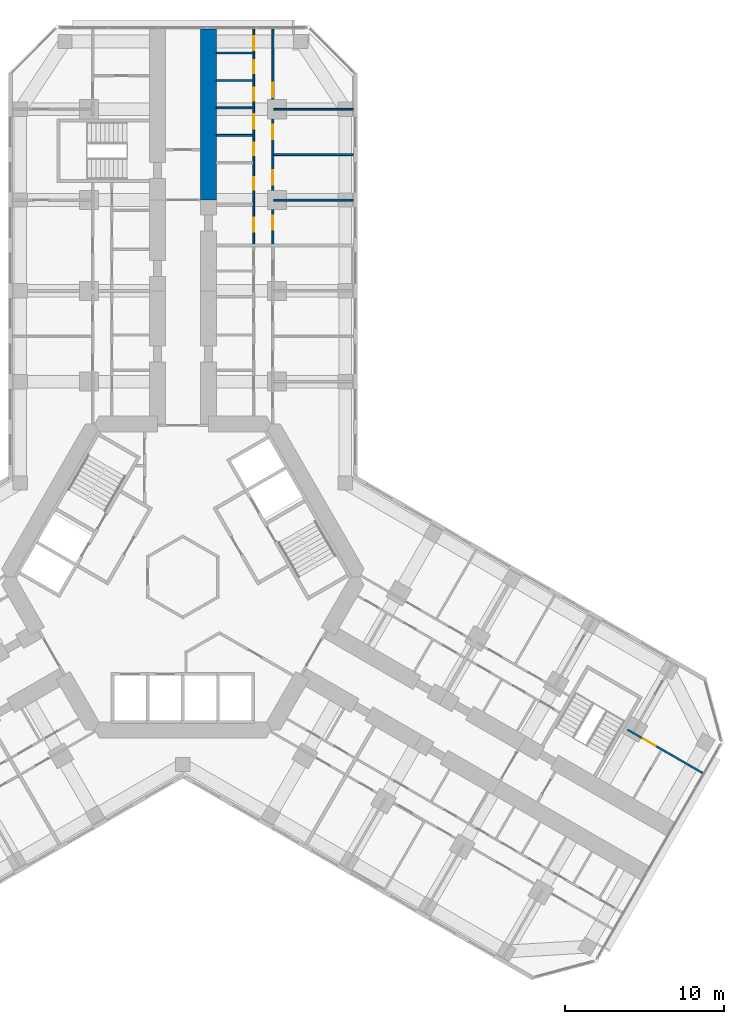
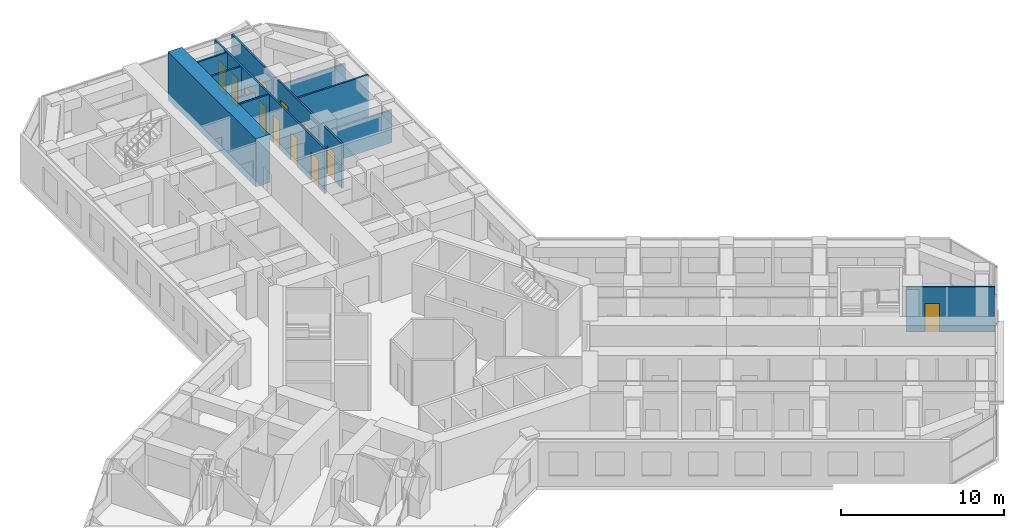
# One storey, part 19 of 21: 12 doors, 11 walls, 12 openings.
"""IFC4 building model written with IfcOpenShell, lengths in metres."""

from ifc_helpers import new_model, si_unit, direction, frame, frame_2d, origin, place, context, subcontext, project, spatial, rectangle, extrude, material, layer, layer_set, type_object, element, fill, save


model = new_model("IFC4")

# Units and contexts
model_context = context("Model", 3, precision=1e-05, world=origin(), true_north=direction((0.0, 1.0)))
body_context = subcontext(model_context, "Body", "Model", "MODEL_VIEW")
ifc_project = project(units=[si_unit("LENGTHUNIT", "METRE"), si_unit("AREAUNIT", "SQUARE_METRE"), si_unit("VOLUMEUNIT", "CUBIC_METRE"), si_unit("PLANEANGLEUNIT", "RADIAN"), si_unit("MASSUNIT", "GRAM", prefix="KILO")], contexts=[model_context])

# Site, building, storey
site_placement = place(None, origin())
site = spatial("IfcSite", under=ifc_project, at=site_placement, CompositionType="ELEMENT")
building_placement = place(site_placement, origin())
building = spatial("IfcBuilding", under=site, at=building_placement, Name="Kosmar Iwan School Tower", CompositionType="ELEMENT")
storey_placement = place(building_placement, frame((0.0, 0.0, 88.0)))
storey = spatial("IfcBuildingStorey", under=building, at=storey_placement, Name="L21", CompositionType="ELEMENT", Elevation=88.0)

# Wall
ifc_material_1 = material(Name="Concrete C50/60", Category="concrete")
ifc_layer_1 = layer(ifc_material_1, 1.0)
ifc_layer_set_1 = layer_set([ifc_layer_1], Name="Corridor buttress wall 1000")
wall_type_1 = type_object("IfcWallType", Name="Corridor buttress wall 1000", PredefinedType="SHEAR", material=ifc_layer_set_1)
wall_1_placement = place(storey_placement, frame((1.60009765625, 23.64990234375, 0.0), z_axis=(0.0, 0.0, 1.0), x_axis=(0.0, 1.0, 0.0)))
element("IfcWall", 1, at=wall_1_placement, inside=storey, type_object=wall_type_1, Name="Corridor wall AR bay 3", PredefinedType="SHEAR", context=body_context, shape_type="SweptSolid", body=[
    extrude(rectangle(XDim=10.7451171875, YDim=1.0, at=frame_2d((5.37255859375, 0.0))), origin(), (0.0, 0.0, 1.0), 3.60009765625),
])

# Wall, openings, doors
ifc_material_2 = material(Name="Gypsum board on steel studs", Category="steel")
ifc_layer_2 = layer(ifc_material_2, 0.1201171875)
ifc_layer_set_2 = layer_set([ifc_layer_2], Name="Dwelling partition 120")
wall_type_2 = type_object("IfcWallType", Name="Dwelling partition 120", PredefinedType="PARTITIONING", material=ifc_layer_set_2)
wall_2_placement = place(storey_placement, frame((4.449951171875, 20.89990234375, 0.0), z_axis=(0.0, 0.0, 1.0), x_axis=(0.0, 1.0, 0.0)))
wall_2 = element("IfcWall", 2, at=wall_2_placement, inside=storey, type_object=wall_type_2, Name="Partition L21-AR2-W1", PredefinedType="PARTITIONING", context=body_context, shape_type="SweptSolid", body=[
    extrude(rectangle(XDim=13.4951171875, YDim=0.1201171875, at=frame_2d((6.74755859375, 0.0))), origin(), (0.0, 0.0, 1.0), 3.35009765625),
])
opening_1_placement = place(wall_2_placement, frame((0.75, 0.0, 0.0)))
opening_1 = element("IfcOpeningElement", 3, at=opening_1_placement, cuts=wall_2, Name="Opening D2", PredefinedType="OPENING", context=body_context, shape_type="SweptSolid", body=[
    extrude(rectangle(XDim=0.89990234375, YDim=2.10009765625, at=frame_2d((0.449951171875, 1.050048828125))), frame((0.0, 0.072021484375, 0.0), z_axis=(0.0, -1.0, 0.0), x_axis=(1.0, 0.0, 0.0)), (0.0, 0.0, 1.0), 0.14404296875),
])
opening_2_placement = place(wall_2_placement, frame((3.392333984375, 0.0, 0.0)))
opening_2 = element("IfcOpeningElement", 4, at=opening_2_placement, cuts=wall_2, Name="Opening D3", PredefinedType="OPENING", context=body_context, shape_type="SweptSolid", body=[
    extrude(rectangle(XDim=0.800048828125, YDim=2.10009765625, at=frame_2d((0.39990234375, 1.050048828125))), frame((0.0, 0.072021484375, 0.0), z_axis=(0.0, -1.0, 0.0), x_axis=(1.0, 0.0, 0.0)), (0.0, 0.0, 1.0), 0.14404296875),
])
opening_3_placement = place(wall_2_placement, frame((5.546142578125, 0.0, 0.0)))
opening_3 = element("IfcOpeningElement", 5, at=opening_3_placement, cuts=wall_2, Name="Opening D3", PredefinedType="OPENING", context=body_context, shape_type="SweptSolid", body=[
    extrude(rectangle(XDim=0.800048828125, YDim=2.10009765625, at=frame_2d((0.39990234375, 1.050048828125))), frame((0.0, 0.072021484375, 0.0), z_axis=(0.0, -1.0, 0.0), x_axis=(1.0, 0.0, 0.0)), (0.0, 0.0, 1.0), 0.14404296875),
])
opening_4_placement = place(wall_2_placement, frame((7.21923828125, 0.0, 0.0)))
opening_4 = element("IfcOpeningElement", 6, at=opening_4_placement, cuts=wall_2, Name="Opening D2", PredefinedType="OPENING", context=body_context, shape_type="SweptSolid", body=[
    extrude(rectangle(XDim=0.89990234375, YDim=2.10009765625, at=frame_2d((0.449951171875, 1.050048828125))), frame((0.0, 0.072021484375, 0.0), z_axis=(0.0, -1.0, 0.0), x_axis=(1.0, 0.0, 0.0)), (0.0, 0.0, 1.0), 0.14404296875),
])
opening_5_placement = place(wall_2_placement, frame((8.992431640625, 0.0, 0.0)))
opening_5 = element("IfcOpeningElement", 7, at=opening_5_placement, cuts=wall_2, Name="Opening D3", PredefinedType="OPENING", context=body_context, shape_type="SweptSolid", body=[
    extrude(rectangle(XDim=0.800048828125, YDim=2.10009765625, at=frame_2d((0.39990234375, 1.050048828125))), frame((0.0, 0.072021484375, 0.0), z_axis=(0.0, -1.0, 0.0), x_axis=(1.0, 0.0, 0.0)), (0.0, 0.0, 1.0), 0.14404296875),
])
opening_6_placement = place(wall_2_placement, frame((10.71533203125, 0.0, 0.0)))
opening_6 = element("IfcOpeningElement", 8, at=opening_6_placement, cuts=wall_2, Name="Opening D3", PredefinedType="OPENING", context=body_context, shape_type="SweptSolid", body=[
    extrude(rectangle(XDim=0.800048828125, YDim=2.10009765625, at=frame_2d((0.39990234375, 1.050048828125))), frame((0.0, 0.072021484375, 0.0), z_axis=(0.0, -1.0, 0.0), x_axis=(1.0, 0.0, 0.0)), (0.0, 0.0, 1.0), 0.14404296875),
])
opening_7_placement = place(wall_2_placement, frame((12.136962890625, 0.0, 0.0)))
opening_7 = element("IfcOpeningElement", 9, at=opening_7_placement, cuts=wall_2, Name="Opening D2", PredefinedType="OPENING", context=body_context, shape_type="SweptSolid", body=[
    extrude(rectangle(XDim=0.89990234375, YDim=2.10009765625, at=frame_2d((0.449951171875, 1.050048828125))), frame((0.0, 0.072021484375, 0.0), z_axis=(0.0, -1.0, 0.0), x_axis=(1.0, 0.0, 0.0)), (0.0, 0.0, 1.0), 0.14404296875),
])
ifc_material_3 = material(Name="Timber door in timber frame", Category="wood")
door_type_1 = type_object("IfcDoorType", Name="Internal door 900x2100", OperationType="SINGLE_SWING_LEFT", PredefinedType="DOOR", material=ifc_material_3)
door_1_placement = place(opening_1_placement, origin())
door_1 = element("IfcDoor", 10, at=door_1_placement, inside=storey, type_object=door_type_1, Name="Entrance hall door L21-AR2-S1", OperationType="SINGLE_SWING_RIGHT", OverallHeight=2.10009765625, OverallWidth=0.89990234375, PredefinedType="DOOR", context=body_context, shape_type="SweptSolid", body=[
    extrude(rectangle(XDim=0.89990234375, YDim=2.10009765625, at=frame_2d((0.449951171875, 1.050048828125))), frame((0.0, 0.02490234375, 0.0), z_axis=(0.0, -1.0, 0.0), x_axis=(1.0, 0.0, 0.0)), (0.0, 0.0, 1.0), 0.050048828125),
])
fill(opening_1, door_1)
door_2_placement = place(opening_4_placement, origin())
door_2 = element("IfcDoor", 11, at=door_2_placement, inside=storey, type_object=door_type_1, Name="Pantry door L21-AR2-S4", OperationType="SINGLE_SWING_LEFT", OverallHeight=2.10009765625, OverallWidth=0.89990234375, PredefinedType="DOOR", context=body_context, shape_type="SweptSolid", body=[
    extrude(rectangle(XDim=0.89990234375, YDim=2.10009765625, at=frame_2d((0.449951171875, 1.050048828125))), frame((0.0, 0.02490234375, 0.0), z_axis=(0.0, -1.0, 0.0), x_axis=(1.0, 0.0, 0.0)), (0.0, 0.0, 1.0), 0.050048828125),
])
fill(opening_4, door_2)
door_3_placement = place(opening_7_placement, origin())
door_3 = element("IfcDoor", 12, at=door_3_placement, inside=storey, type_object=door_type_1, Name="Utility room door L21-AR2-S7", OperationType="SINGLE_SWING_LEFT", OverallHeight=2.10009765625, OverallWidth=0.89990234375, PredefinedType="DOOR", context=body_context, shape_type="SweptSolid", body=[
    extrude(rectangle(XDim=0.89990234375, YDim=2.10009765625, at=frame_2d((0.449951171875, 1.050048828125))), frame((0.0, 0.02490234375, 0.0), z_axis=(0.0, -1.0, 0.0), x_axis=(1.0, 0.0, 0.0)), (0.0, 0.0, 1.0), 0.050048828125),
])
fill(opening_7, door_3)
ifc_material_4 = material(Name="Timber door in timber frame", Category="wood")
door_type_2 = type_object("IfcDoorType", Name="Sanitary room door 800x2100", OperationType="SINGLE_SWING_LEFT", PredefinedType="DOOR", material=ifc_material_4)
door_4_placement = place(opening_2_placement, origin())
door_4 = element("IfcDoor", 13, at=door_4_placement, inside=storey, type_object=door_type_2, Name="Bathroom door L21-AR2-S2", OperationType="SINGLE_SWING_LEFT", OverallHeight=2.10009765625, OverallWidth=0.800048828125, PredefinedType="DOOR", context=body_context, shape_type="SweptSolid", body=[
    extrude(rectangle(XDim=0.800048828125, YDim=2.10009765625, at=frame_2d((0.39990234375, 1.050048828125))), frame((0.0, 0.02490234375, 0.0), z_axis=(0.0, -1.0, 0.0), x_axis=(1.0, 0.0, 0.0)), (0.0, 0.0, 1.0), 0.050048828125),
])
fill(opening_2, door_4)
door_5_placement = place(opening_3_placement, origin())
door_5 = element("IfcDoor", 14, at=door_5_placement, inside=storey, type_object=door_type_2, Name="Shower room door L21-AR2-S3", OperationType="SINGLE_SWING_RIGHT", OverallHeight=2.10009765625, OverallWidth=0.800048828125, PredefinedType="DOOR", context=body_context, shape_type="SweptSolid", body=[
    extrude(rectangle(XDim=0.800048828125, YDim=2.10009765625, at=frame_2d((0.39990234375, 1.050048828125))), frame((0.0, 0.02490234375, 0.0), z_axis=(0.0, -1.0, 0.0), x_axis=(1.0, 0.0, 0.0)), (0.0, 0.0, 1.0), 0.050048828125),
])
fill(opening_3, door_5)
door_6_placement = place(opening_5_placement, origin())
door_6 = element("IfcDoor", 15, at=door_6_placement, inside=storey, type_object=door_type_2, Name="WC door L21-AR2-S5", OperationType="SINGLE_SWING_RIGHT", OverallHeight=2.10009765625, OverallWidth=0.800048828125, PredefinedType="DOOR", context=body_context, shape_type="SweptSolid", body=[
    extrude(rectangle(XDim=0.800048828125, YDim=2.10009765625, at=frame_2d((0.39990234375, 1.050048828125))), frame((0.0, 0.02490234375, 0.0), z_axis=(0.0, -1.0, 0.0), x_axis=(1.0, 0.0, 0.0)), (0.0, 0.0, 1.0), 0.050048828125),
])
fill(opening_5, door_6)
door_7_placement = place(opening_6_placement, origin())
door_7 = element("IfcDoor", 16, at=door_7_placement, inside=storey, type_object=door_type_2, Name="Store door L21-AR2-S6", OperationType="SINGLE_SWING_LEFT", OverallHeight=2.10009765625, OverallWidth=0.800048828125, PredefinedType="DOOR", context=body_context, shape_type="SweptSolid", body=[
    extrude(rectangle(XDim=0.800048828125, YDim=2.10009765625, at=frame_2d((0.39990234375, 1.050048828125))), frame((0.0, 0.02490234375, 0.0), z_axis=(0.0, -1.0, 0.0), x_axis=(1.0, 0.0, 0.0)), (0.0, 0.0, 1.0), 0.050048828125),
])
fill(opening_6, door_7)

wall_3_placement = place(storey_placement, frame((5.64990234375, 20.89990234375, 0.0), z_axis=(0.0, 0.0, 1.0), x_axis=(0.0, 1.0, 0.0)))
wall_3 = element("IfcWall", 17, at=wall_3_placement, inside=storey, type_object=wall_type_2, Name="Partition L21-AR2-W2", PredefinedType="PARTITIONING", context=body_context, shape_type="SweptSolid", body=[
    extrude(rectangle(XDim=13.4951171875, YDim=0.1201171875, at=frame_2d((6.74755859375, 0.0))), origin(), (0.0, 0.0, 1.0), 3.35009765625),
])
opening_8_placement = place(wall_3_placement, frame((0.875, 0.0, 0.0)))
opening_8 = element("IfcOpeningElement", 18, at=opening_8_placement, cuts=wall_3, Name="Opening D2", PredefinedType="OPENING", context=body_context, shape_type="SweptSolid", body=[
    extrude(rectangle(XDim=0.89990234375, YDim=2.10009765625, at=frame_2d((0.449951171875, 1.050048828125))), frame((0.0, 0.072021484375, 0.0), z_axis=(0.0, -1.0, 0.0), x_axis=(1.0, 0.0, 0.0)), (0.0, 0.0, 1.0), 0.14404296875),
])
opening_9_placement = place(wall_3_placement, frame((3.72509765625, 0.0, 0.0)))
opening_9 = element("IfcOpeningElement", 19, at=opening_9_placement, cuts=wall_3, Name="Opening D2", PredefinedType="OPENING", context=body_context, shape_type="SweptSolid", body=[
    extrude(rectangle(XDim=0.89990234375, YDim=2.10009765625, at=frame_2d((0.449951171875, 1.050048828125))), frame((0.0, 0.072021484375, 0.0), z_axis=(0.0, -1.0, 0.0), x_axis=(1.0, 0.0, 0.0)), (0.0, 0.0, 1.0), 0.14404296875),
])
opening_10_placement = place(wall_3_placement, frame((6.574951171875, 0.0, 0.0)))
opening_10 = element("IfcOpeningElement", 20, at=opening_10_placement, cuts=wall_3, Name="Opening D2", PredefinedType="OPENING", context=body_context, shape_type="SweptSolid", body=[
    extrude(rectangle(XDim=0.89990234375, YDim=2.10009765625, at=frame_2d((0.449951171875, 1.050048828125))), frame((0.0, 0.072021484375, 0.0), z_axis=(0.0, -1.0, 0.0), x_axis=(1.0, 0.0, 0.0)), (0.0, 0.0, 1.0), 0.14404296875),
])
opening_11_placement = place(wall_3_placement, frame((9.199951171875, 0.0, 0.0)))
opening_11 = element("IfcOpeningElement", 21, at=opening_11_placement, cuts=wall_3, Name="Opening D2", PredefinedType="OPENING", context=body_context, shape_type="SweptSolid", body=[
    extrude(rectangle(XDim=0.89990234375, YDim=2.10009765625, at=frame_2d((0.449951171875, 1.050048828125))), frame((0.0, 0.072021484375, 0.0), z_axis=(0.0, -1.0, 0.0), x_axis=(1.0, 0.0, 0.0)), (0.0, 0.0, 1.0), 0.14404296875),
])
door_8_placement = place(opening_8_placement, origin())
door_8 = element("IfcDoor", 22, at=door_8_placement, inside=storey, type_object=door_type_1, Name="Living room and kitchen door L21-AR2-F1", OperationType="SINGLE_SWING_LEFT", OverallHeight=2.10009765625, OverallWidth=0.89990234375, PredefinedType="DOOR", context=body_context, shape_type="SweptSolid", body=[
    extrude(rectangle(XDim=0.89990234375, YDim=2.10009765625, at=frame_2d((0.449951171875, 1.050048828125))), frame((0.0, 0.02490234375, 0.0), z_axis=(0.0, -1.0, 0.0), x_axis=(1.0, 0.0, 0.0)), (0.0, 0.0, 1.0), 0.050048828125),
])
fill(opening_8, door_8)
door_9_placement = place(opening_9_placement, origin())
door_9 = element("IfcDoor", 23, at=door_9_placement, inside=storey, type_object=door_type_1, Name="Bedroom 1 door L21-AR2-F2", OperationType="SINGLE_SWING_LEFT", OverallHeight=2.10009765625, OverallWidth=0.89990234375, PredefinedType="DOOR", context=body_context, shape_type="SweptSolid", body=[
    extrude(rectangle(XDim=0.89990234375, YDim=2.10009765625, at=frame_2d((0.449951171875, 1.050048828125))), frame((0.0, 0.02490234375, 0.0), z_axis=(0.0, -1.0, 0.0), x_axis=(1.0, 0.0, 0.0)), (0.0, 0.0, 1.0), 0.050048828125),
])
fill(opening_9, door_9)
door_10_placement = place(opening_10_placement, origin())
door_10 = element("IfcDoor", 24, at=door_10_placement, inside=storey, type_object=door_type_1, Name="Bedroom 2 door L21-AR2-F3", OperationType="SINGLE_SWING_RIGHT", OverallHeight=2.10009765625, OverallWidth=0.89990234375, PredefinedType="DOOR", context=body_context, shape_type="SweptSolid", body=[
    extrude(rectangle(XDim=0.89990234375, YDim=2.10009765625, at=frame_2d((0.449951171875, 1.050048828125))), frame((0.0, 0.02490234375, 0.0), z_axis=(0.0, -1.0, 0.0), x_axis=(1.0, 0.0, 0.0)), (0.0, 0.0, 1.0), 0.050048828125),
])
fill(opening_10, door_10)
door_11_placement = place(opening_11_placement, origin())
door_11 = element("IfcDoor", 25, at=door_11_placement, inside=storey, type_object=door_type_1, Name="Winter garden door L21-AR2-F4", OperationType="SINGLE_SWING_RIGHT", OverallHeight=2.10009765625, OverallWidth=0.89990234375, PredefinedType="DOOR", context=body_context, shape_type="SweptSolid", body=[
    extrude(rectangle(XDim=0.89990234375, YDim=2.10009765625, at=frame_2d((0.449951171875, 1.050048828125))), frame((0.0, 0.02490234375, 0.0), z_axis=(0.0, -1.0, 0.0), x_axis=(1.0, 0.0, 0.0)), (0.0, 0.0, 1.0), 0.050048828125),
])
fill(opening_11, door_11)

# Walls
wall_4_placement = place(storey_placement, frame((5.7099609375, 23.64990234375, 0.0), z_axis=(0.0, 0.0, 1.0), x_axis=(1.0, 0.0, 0.0)))
element("IfcWall", 26, at=wall_4_placement, inside=storey, type_object=wall_type_2, Name="Partition L21-AR2-X1", PredefinedType="PARTITIONING", context=body_context, shape_type="SweptSolid", body=[
    extrude(rectangle(XDim=4.989990234375, YDim=0.1201171875, at=frame_2d((2.4951171875, 0.0))), origin(), (0.0, 0.0, 1.0), 2.449951171875),
])
wall_5_placement = place(storey_placement, frame((5.7099609375, 26.5, 0.0), z_axis=(0.0, 0.0, 1.0), x_axis=(1.0, 0.0, 0.0)))
element("IfcWall", 27, at=wall_5_placement, inside=storey, type_object=wall_type_2, Name="Partition L21-AR2-X2", PredefinedType="PARTITIONING", context=body_context, shape_type="SweptSolid", body=[
    extrude(rectangle(XDim=4.989990234375, YDim=0.1201171875, at=frame_2d((2.4951171875, 0.0))), origin(), (0.0, 0.0, 1.0), 3.35009765625),
])
wall_6_placement = place(storey_placement, frame((5.7099609375, 29.35009765625, 0.0), z_axis=(0.0, 0.0, 1.0), x_axis=(1.0, 0.0, 0.0)))
element("IfcWall", 28, at=wall_6_placement, inside=storey, type_object=wall_type_2, Name="Partition L21-AR2-X3", PredefinedType="PARTITIONING", context=body_context, shape_type="SweptSolid", body=[
    extrude(rectangle(XDim=4.989990234375, YDim=0.1201171875, at=frame_2d((2.4951171875, 0.0))), origin(), (0.0, 0.0, 1.0), 2.449951171875),
])
wall_7_placement = place(storey_placement, frame((2.10009765625, 27.707763671875, 0.0), z_axis=(0.0, 0.0, 1.0), x_axis=(1.0, 0.0, 0.0)))
element("IfcWall", 29, at=wall_7_placement, inside=storey, type_object=wall_type_2, Name="Partition L21-AR2-Y3", PredefinedType="PARTITIONING", context=body_context, shape_type="SweptSolid", body=[
    extrude(rectangle(XDim=2.289794921875, YDim=0.1201171875, at=frame_2d((1.14501953125, 0.0))), origin(), (0.0, 0.0, 1.0), 3.35009765625),
])
wall_8_placement = place(storey_placement, frame((2.10009765625, 29.4306640625, 0.0), z_axis=(0.0, 0.0, 1.0), x_axis=(1.0, 0.0, 0.0)))
element("IfcWall", 30, at=wall_8_placement, inside=storey, type_object=wall_type_2, Name="Partition L21-AR2-Y4", PredefinedType="PARTITIONING", context=body_context, shape_type="SweptSolid", body=[
    extrude(rectangle(XDim=2.289794921875, YDim=0.1201171875, at=frame_2d((1.14501953125, 0.0))), origin(), (0.0, 0.0, 1.0), 2.449951171875),
])
for number, where, z_axis, x_axis, name in (
    (31, (2.10009765625, 31.15380859375, 0.0), (0.0, 0.0, 1.0), (1.0, 0.0, 0.0), "Partition L21-AR2-Y5"),
    (32, (2.10009765625, 32.876953125, 0.0), (0.0, 0.0, 1.0), (1.0, 0.0, 0.0), "Partition L21-AR2-Y6"),
):
    element("IfcWall", number, at=place(storey_placement, frame(where, z_axis=z_axis, x_axis=x_axis)), inside=storey, type_object=wall_type_2, Name=name, PredefinedType="PARTITIONING", context=body_context, shape_type="SweptSolid", body=[
        extrude(rectangle(XDim=2.289794921875, YDim=0.1201171875, at=frame_2d((1.14501953125, 0.0))), origin(), (0.0, 0.0, 1.0), 3.35009765625),
    ])

# Wall, opening, door
wall_9_placement = place(storey_placement, frame((27.896484375, -9.58203125, 0.0), z_axis=(0.0, 0.0, 1.0), x_axis=(0.866035508231, -0.499982498177, 0.0)))
wall_9 = element("IfcWall", 33, at=wall_9_placement, inside=storey, type_object=wall_type_2, Name="Partition L21-CL2-TW", PredefinedType="PARTITIONING", context=body_context, shape_type="SweptSolid", body=[
    extrude(rectangle(XDim=5.445068359375, YDim=0.1201171875, at=frame_2d((2.72265625, 0.0))), origin(), (0.0, 0.0, 1.0), 3.35009765625),
])
opening_12_placement = place(wall_9_placement, frame((1.14990234375, 0.0, 0.0)))
opening_12 = element("IfcOpeningElement", 34, at=opening_12_placement, cuts=wall_9, Name="Opening D2", PredefinedType="OPENING", context=body_context, shape_type="SweptSolid", body=[
    extrude(rectangle(XDim=0.89990234375, YDim=2.10009765625, at=frame_2d((0.449951171875, 1.050048828125))), frame((0.0, 0.072021484375, 0.0), z_axis=(0.0, -1.0, 0.0), x_axis=(1.0, 0.0, 0.0)), (0.0, 0.0, 1.0), 0.14404296875),
])
door_12_placement = place(opening_12_placement, origin())
door_12 = element("IfcDoor", 35, at=door_12_placement, inside=storey, type_object=door_type_1, Name="Dressing room door L21-CL2-T3", OperationType="SINGLE_SWING_LEFT", OverallHeight=2.10009765625, OverallWidth=0.89990234375, PredefinedType="DOOR", context=body_context, shape_type="SweptSolid", body=[
    extrude(rectangle(XDim=0.89990234375, YDim=2.10009765625, at=frame_2d((0.449951171875, 1.050048828125))), frame((0.0, 0.02490234375, 0.0), z_axis=(0.0, -1.0, 0.0), x_axis=(1.0, 0.0, 0.0)), (0.0, 0.0, 1.0), 0.050048828125),
])
fill(opening_12, door_12)

save(model, "model.ifc")
